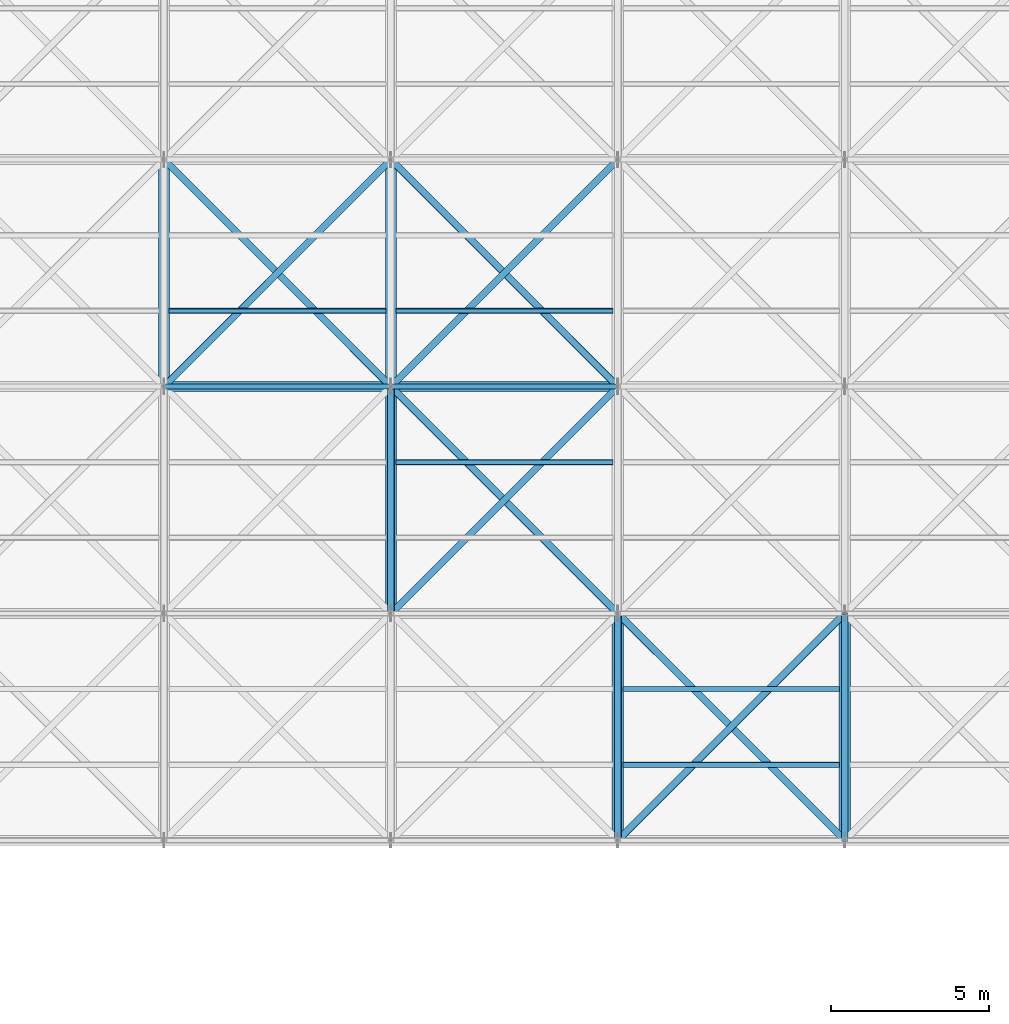
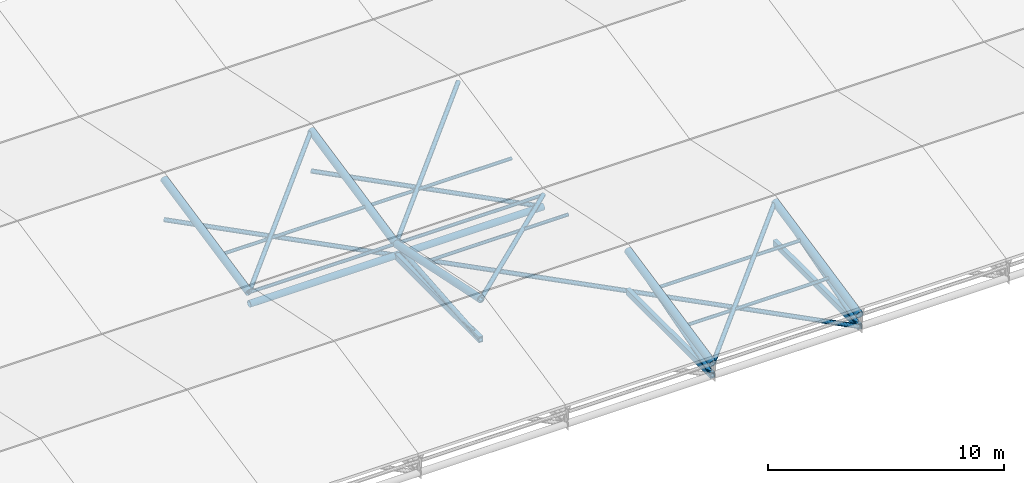
# One storey, part 28 of 72: 20 members, 8 beams.
"""IFC4 building model written with IfcOpenShell, lengths in metres."""

from ifc_helpers import new_model, si_unit, direction, frame, origin, origin_2d, place, context, subcontext, project, spatial, hollow_rectangle, hollow_circle, extrude, material, material_profile, profile_set, type_object, element, save


model = new_model("IFC4")

# Units and contexts
model_context = context("Model", 3, precision=1e-05, world=origin(), true_north=direction((0.0, 1.0)))
body_context = subcontext(model_context, "Body", "Model", "MODEL_VIEW")
ifc_project = project(units=[si_unit("LENGTHUNIT", "METRE"), si_unit("AREAUNIT", "SQUARE_METRE"), si_unit("VOLUMEUNIT", "CUBIC_METRE"), si_unit("PLANEANGLEUNIT", "RADIAN"), si_unit("MASSUNIT", "GRAM", prefix="KILO")], contexts=[model_context])

# Site, building, storey
site_placement = place(None, origin())
site = spatial("IfcSite", under=ifc_project, at=site_placement, CompositionType="ELEMENT")
building_placement = place(site_placement, origin())
building = spatial("IfcBuilding", under=site, at=building_placement, Name="Vaelcorin Mobility Hub", CompositionType="ELEMENT")
storey_placement = place(building_placement, frame((0.0, 0.0, 25.800048828125)))
storey = spatial("IfcBuildingStorey", under=building, at=storey_placement, Name="RF", CompositionType="ELEMENT", Elevation=25.800048828125)

# Members
ifc_material = material(Name="Steel ASTM A500 Grade C", Category="steel")
ifc_material_profile_1 = material_profile(ifc_material, hollow_circle(Radius=0.161865234375, WallThickness=0.0126953125, at=origin_2d()), Name="HSS12.750X0.500")
ifc_profile_set_1 = profile_set([ifc_material_profile_1], Name="Steel ASTM A500 Grade C")
member_type_1 = type_object("IfcMemberType", Name="SF-CHORD-12", PredefinedType="CHORD", material=ifc_profile_set_1)
for number, where, z_axis, x_axis, name in (
    (1, (72.0, 98.39990234375, -2.10009765625), (1.0, 0.0, 0.0), (0.0, 1.0, 0.0), "Sports Truss Lower Tie Strut 6-2"),
    (2, (79.199951171875, 98.39990234375, -2.10009765625), (1.0, 0.0, 0.0), (0.0, 1.0, 0.0), "Sports Truss Lower Tie Strut 7-2"),
):
    element("IfcMember", number, at=place(storey_placement, frame(where, z_axis=z_axis, x_axis=x_axis)), inside=storey, type_object=member_type_1, Name=name, PredefinedType="CHORD", context=body_context, shape_type="SweptSolid", body=[
        extrude(hollow_circle(Radius=0.161865234375, WallThickness=0.0126953125, at=origin_2d()), origin(), (0.0, 0.0, 1.0), 7.199951171875),
    ])
ifc_material_profile_2 = material_profile(ifc_material, hollow_circle(Radius=0.109619140625, WallThickness=0.009521484375, at=origin_2d()), Name="HSS8.625X0.375")
ifc_profile_set_2 = profile_set([ifc_material_profile_2], Name="Steel ASTM A500 Grade C")
member_type_2 = type_object("IfcMemberType", Name="SF-DIAG-8", PredefinedType="BRACE", material=ifc_profile_set_2)
member_1_placement = place(storey_placement, frame((72.0, 98.39990234375, -1.5), z_axis=(0.699545135531, 0.699568856162, 0.145739558262), x_axis=(-0.7071187694, 0.70709479277, 0.0)))
element("IfcMember", 3, at=member_1_placement, inside=storey, type_object=member_type_2, Name="Sports Roof Space-Truss Plan Brace 6-3", PredefinedType="BRACE", context=body_context, shape_type="SweptSolid", body=[
    extrude(hollow_circle(Radius=0.109619140625, WallThickness=0.009521484375, at=origin_2d()), origin(), (0.0, 0.0, 1.0), 10.292236328125),
])
member_2_placement = place(storey_placement, frame((79.199951171875, 98.39990234375, -2.10009765625), z_axis=(-0.70709479277, 0.7071187694, 0.0), x_axis=(-0.7071187694, -0.70709479277, 0.0)))
element("IfcMember", 4, at=member_2_placement, inside=storey, type_object=member_type_2, Name="Sports Truss Lower Plan Brace 6-3", PredefinedType="BRACE", context=body_context, shape_type="SweptSolid", body=[
    extrude(hollow_circle(Radius=0.109619140625, WallThickness=0.009521484375, at=origin_2d()), origin(), (0.0, 0.0, 1.0), 10.182373046875),
])
member_3_placement = place(storey_placement, frame((79.199951171875, 91.199951171875, 0.0), z_axis=(0.699556744026, 0.699556744026, -0.145741976715), x_axis=(-0.707106781187, 0.707106781187, 0.0)))
element("IfcMember", 5, at=member_3_placement, inside=storey, type_object=member_type_2, Name="Sports Roof Space-Truss Plan Brace 7-2", PredefinedType="BRACE", context=body_context, shape_type="SweptSolid", body=[
    extrude(hollow_circle(Radius=0.109619140625, WallThickness=0.009521484375, at=origin_2d()), origin(), (0.0, 0.0, 1.0), 10.292236328125),
])
member_4_placement = place(storey_placement, frame((86.39990234375, 91.199951171875, -2.10009765625), z_axis=(-0.707106781187, 0.707106781187, 0.0), x_axis=(-0.707106781187, -0.707106781187, 0.0)))
element("IfcMember", 6, at=member_4_placement, inside=storey, type_object=member_type_2, Name="Sports Truss Lower Plan Brace 7-2", PredefinedType="BRACE", context=body_context, shape_type="SweptSolid", body=[
    extrude(hollow_circle(Radius=0.109619140625, WallThickness=0.009521484375, at=origin_2d()), origin(), (0.0, 0.0, 1.0), 10.182373046875),
])
member_5_placement = place(storey_placement, frame((79.199951171875, 98.39990234375, -1.5), z_axis=(0.699545135531, 0.699568856162, 0.145739558262), x_axis=(-0.7071187694, 0.70709479277, 0.0)))
element("IfcMember", 7, at=member_5_placement, inside=storey, type_object=member_type_2, Name="Sports Roof Space-Truss Plan Brace 7-3", PredefinedType="BRACE", context=body_context, shape_type="SweptSolid", body=[
    extrude(hollow_circle(Radius=0.109619140625, WallThickness=0.009521484375, at=origin_2d()), origin(), (0.0, 0.0, 1.0), 10.292236328125),
])
member_6_placement = place(storey_placement, frame((86.39990234375, 98.39990234375, -2.10009765625), z_axis=(-0.70709479277, 0.7071187694, 0.0), x_axis=(-0.7071187694, -0.70709479277, 0.0)))
element("IfcMember", 8, at=member_6_placement, inside=storey, type_object=member_type_2, Name="Sports Truss Lower Plan Brace 7-3", PredefinedType="BRACE", context=body_context, shape_type="SweptSolid", body=[
    extrude(hollow_circle(Radius=0.109619140625, WallThickness=0.009521484375, at=origin_2d()), origin(), (0.0, 0.0, 1.0), 10.182373046875),
])
member_7_placement = place(storey_placement, frame((86.39990234375, 84.0, -1.5), z_axis=(0.699568856162, 0.699545135531, 0.145739558262), x_axis=(-0.70709479277, 0.7071187694, 0.0)))
element("IfcMember", 9, at=member_7_placement, inside=storey, type_object=member_type_2, Name="Sports Roof Space-Truss Plan Brace 8-1", PredefinedType="BRACE", context=body_context, shape_type="SweptSolid", body=[
    extrude(hollow_circle(Radius=0.109619140625, WallThickness=0.009521484375, at=origin_2d()), origin(), (0.0, 0.0, 1.0), 10.292236328125),
])
member_8_placement = place(storey_placement, frame((93.60009765625, 84.0, -2.10009765625), z_axis=(-0.7071187694, 0.70709479277, 0.0), x_axis=(-0.70709479277, -0.7071187694, 0.0)))
element("IfcMember", 10, at=member_8_placement, inside=storey, type_object=member_type_2, Name="Sports Truss Lower Plan Brace 8-1", PredefinedType="BRACE", context=body_context, shape_type="SweptSolid", body=[
    extrude(hollow_circle(Radius=0.109619140625, WallThickness=0.009521484375, at=origin_2d()), origin(), (0.0, 0.0, 1.0), 10.182373046875),
])
ifc_material_profile_3 = material_profile(ifc_material, hollow_circle(Radius=0.084228515625, WallThickness=0.0078125, at=origin_2d()), Name="HSS6.625X0.312")
ifc_profile_set_3 = profile_set([ifc_material_profile_3], Name="Steel ASTM A500 Grade C")
member_type_3 = type_object("IfcMemberType", Name="SF-PURL-6", PredefinedType="PURLIN", material=ifc_profile_set_3)
member_9_placement = place(storey_placement, frame((72.0, 98.39990234375, -1.5), z_axis=(1.0, 0.0, 0.0), x_axis=(0.0, 1.0, 0.0)))
element("IfcMember", 11, at=member_9_placement, inside=storey, type_object=member_type_3, Name="Sports Pavilion Roof Purlin 6-2", PredefinedType="PURLIN", context=body_context, shape_type="SweptSolid", body=[
    extrude(hollow_circle(Radius=0.084228515625, WallThickness=0.0078125, at=origin_2d()), origin(), (0.0, 0.0, 1.0), 7.199951171875),
])
member_10_placement = place(storey_placement, frame((72.159912109375, 100.800048828125, -1.0), z_axis=(1.0, 0.0, 0.0), x_axis=(0.0, 1.0, 0.0)))
element("IfcMember", 12, at=member_10_placement, inside=storey, type_object=member_type_3, Name="Sports Roof Secondary Purlin 6-3-1", PredefinedType="PURLIN", context=body_context, shape_type="SweptSolid", body=[
    extrude(hollow_circle(Radius=0.084228515625, WallThickness=0.0078125, at=origin_2d()), origin(), (0.0, 0.0, 1.0), 6.880126953125),
])
member_11_placement = place(storey_placement, frame((79.199951171875, 98.39990234375, -1.5), z_axis=(1.0, 0.0, 0.0), x_axis=(0.0, 1.0, 0.0)))
element("IfcMember", 13, at=member_11_placement, inside=storey, type_object=member_type_3, Name="Sports Pavilion Roof Purlin 7-2", PredefinedType="PURLIN", context=body_context, shape_type="SweptSolid", body=[
    extrude(hollow_circle(Radius=0.084228515625, WallThickness=0.0078125, at=origin_2d()), origin(), (0.0, 0.0, 1.0), 7.199951171875),
])
for number, where, z_axis, x_axis, name in (
    (14, (79.360107421875, 96.0, -1.0), (1.0, 0.0, 0.0), (0.0, 1.0, 0.0), "Sports Roof Secondary Purlin 7-2-2"),
    (15, (79.360107421875, 100.800048828125, -1.0), (1.0, 0.0, 0.0), (0.0, 1.0, 0.0), "Sports Roof Secondary Purlin 7-3-1"),
    (16, (86.56005859375, 86.39990234375, -1.0), (1.0, 0.0, 0.0), (0.0, 1.0, 0.0), "Sports Roof Secondary Purlin 8-1-1"),
    (17, (86.56005859375, 88.800048828125, -0.5), (1.0, 0.0, 0.0), (0.0, 1.0, 0.0), "Sports Roof Secondary Purlin 8-1-2"),
):
    element("IfcMember", number, at=place(storey_placement, frame(where, z_axis=z_axis, x_axis=x_axis)), inside=storey, type_object=member_type_3, Name=name, PredefinedType="PURLIN", context=body_context, shape_type="SweptSolid", body=[
        extrude(hollow_circle(Radius=0.084228515625, WallThickness=0.0078125, at=origin_2d()), origin(), (0.0, 0.0, 1.0), 6.8798828125),
    ])

# Beams
ifc_material_profile_4 = material_profile(ifc_material, hollow_circle(Radius=0.177734375, WallThickness=0.0126953125, at=origin_2d()), Name="HSS14.000X0.500")
ifc_profile_set_4 = profile_set([ifc_material_profile_4], Name="Steel ASTM A500 Grade C")
beam_type_1 = type_object("IfcBeamType", Name="TR-CHORD-14", PredefinedType="BEAM", material=ifc_profile_set_4)
beam_1_placement = place(storey_placement, frame((72.0, 98.39990234375, -1.5), z_axis=(0.0, 0.978981524376, 0.203948951776), x_axis=(-1.0, 0.0, 0.0)))
element("IfcBeam", 18, at=beam_1_placement, inside=storey, type_object=beam_type_1, Name="Sports Pavilion Roof Truss Upper Chord 5-3", PredefinedType="BEAM", context=body_context, shape_type="SweptSolid", body=[
    extrude(hollow_circle(Radius=0.177734375, WallThickness=0.0126953125, at=origin_2d()), origin(), (0.0, 0.0, 1.0), 7.354736328125),
])
beam_2_placement = place(storey_placement, frame((79.199951171875, 91.199951171875, 0.0), z_axis=(0.0, 0.978980143565, -0.203955579738), x_axis=(-1.0, 0.0, 0.0)))
element("IfcBeam", 19, at=beam_2_placement, inside=storey, type_object=beam_type_1, Name="Sports Pavilion Roof Truss Upper Chord 6-2", PredefinedType="BEAM", context=body_context, shape_type="SweptSolid", body=[
    extrude(hollow_circle(Radius=0.177734375, WallThickness=0.0126953125, at=origin_2d()), origin(), (0.0, 0.0, 1.0), 7.3544921875),
])
beam_3_placement = place(storey_placement, frame((79.199951171875, 98.39990234375, -1.5), z_axis=(0.0, 0.978981524376, 0.203948951776), x_axis=(-1.0, 0.0, 0.0)))
element("IfcBeam", 20, at=beam_3_placement, inside=storey, type_object=beam_type_1, Name="Sports Pavilion Roof Truss Upper Chord 6-3", PredefinedType="BEAM", context=body_context, shape_type="SweptSolid", body=[
    extrude(hollow_circle(Radius=0.177734375, WallThickness=0.0126953125, at=origin_2d()), origin(), (0.0, 0.0, 1.0), 7.354736328125),
])
for number, where, z_axis, x_axis, name in (
    (21, (86.39990234375, 84.0, -1.5), (0.0, 0.978980143565, 0.203955579738), (-1.0, 0.0, 0.0), "Sports Pavilion Roof Truss Upper Chord 7-1"),
    (22, (93.60009765625, 84.0, -1.5), (0.0, 0.978980143565, 0.203955579738), (-1.0, 0.0, 0.0), "Sports Pavilion Roof Truss Upper Chord 8-1"),
):
    element("IfcBeam", number, at=place(storey_placement, frame(where, z_axis=z_axis, x_axis=x_axis)), inside=storey, type_object=beam_type_1, Name=name, PredefinedType="BEAM", context=body_context, shape_type="SweptSolid", body=[
        extrude(hollow_circle(Radius=0.177734375, WallThickness=0.0126953125, at=origin_2d()), origin(), (0.0, 0.0, 1.0), 7.3544921875),
    ])
ifc_material_profile_5 = material_profile(ifc_material, hollow_rectangle(XDim=0.203125, YDim=0.3046875, WallThickness=0.01171875, at=origin_2d()), Name="HSS12X8X0.500")
ifc_profile_set_5 = profile_set([ifc_material_profile_5], Name="Steel ASTM A500 Grade C")
beam_type_2 = type_object("IfcBeamType", Name="TR-CHORD-RHS12", PredefinedType="BEAM", material=ifc_profile_set_5)
for number, where, z_axis, x_axis, name in (
    (23, (79.199951171875, 91.199951171875, -2.10009765625), (0.0, 1.0, 0.0), (-1.0, 0.0, 0.0), "Sports Pavilion Roof Truss Bottom Chord 6-2"),
    (24, (86.39990234375, 84.0, -2.10009765625), (0.0, 1.0, 0.0), (-1.0, 0.0, 0.0), "Sports Pavilion Roof Truss Bottom Chord 7-1"),
    (25, (93.60009765625, 84.0, -2.10009765625), (0.0, 1.0, 0.0), (-1.0, 0.0, 0.0), "Sports Pavilion Roof Truss Bottom Chord 8-1"),
):
    element("IfcBeam", number, at=place(storey_placement, frame(where, z_axis=z_axis, x_axis=x_axis)), inside=storey, type_object=beam_type_2, Name=name, PredefinedType="BEAM", context=body_context, shape_type="SweptSolid", body=[
        extrude(hollow_rectangle(XDim=0.203125, YDim=0.3046875, WallThickness=0.01171875, at=origin_2d()), origin(), (0.0, 0.0, 1.0), 7.199951171875),
    ])

# Members
ifc_material_profile_6 = material_profile(ifc_material, hollow_circle(Radius=0.109619140625, WallThickness=0.009521484375, at=origin_2d()), Name="HSS8.625X0.375")
ifc_profile_set_6 = profile_set([ifc_material_profile_6], Name="Steel ASTM A500 Grade C")
member_type_4 = type_object("IfcMemberType", Name="TR-WEB-8", PredefinedType="BRACE", material=ifc_profile_set_6)
member_12_placement = place(storey_placement, frame((79.199951171875, 91.199951171875, -2.10009765625), z_axis=(0.0, 0.996544592923, 0.083059462528), x_axis=(-1.0, 0.0, 0.0)))
element("IfcMember", 26, at=member_12_placement, inside=storey, type_object=member_type_4, Name="Sports Pavilion Roof Truss Diagonal 6-2", PredefinedType="BRACE", context=body_context, shape_type="SweptSolid", body=[
    extrude(hollow_circle(Radius=0.109619140625, WallThickness=0.009521484375, at=origin_2d()), origin(), (0.0, 0.0, 1.0), 7.224853515625),
])
for number, where, z_axis, x_axis, name in (
    (27, (86.39990234375, 84.0, -2.10009765625), (0.0, 0.959995989474, 0.280013750007), (-1.0, 0.0, 0.0), "Sports Pavilion Roof Truss Diagonal 7-1"),
    (28, (93.60009765625, 84.0, -2.10009765625), (0.0, 0.959995989474, 0.280013750007), (-1.0, 0.0, 0.0), "Sports Pavilion Roof Truss Diagonal 8-1"),
):
    element("IfcMember", number, at=place(storey_placement, frame(where, z_axis=z_axis, x_axis=x_axis)), inside=storey, type_object=member_type_4, Name=name, PredefinedType="BRACE", context=body_context, shape_type="SweptSolid", body=[
        extrude(hollow_circle(Radius=0.109619140625, WallThickness=0.009521484375, at=origin_2d()), origin(), (0.0, 0.0, 1.0), 7.5),
    ])

save(model, "model.ifc")
